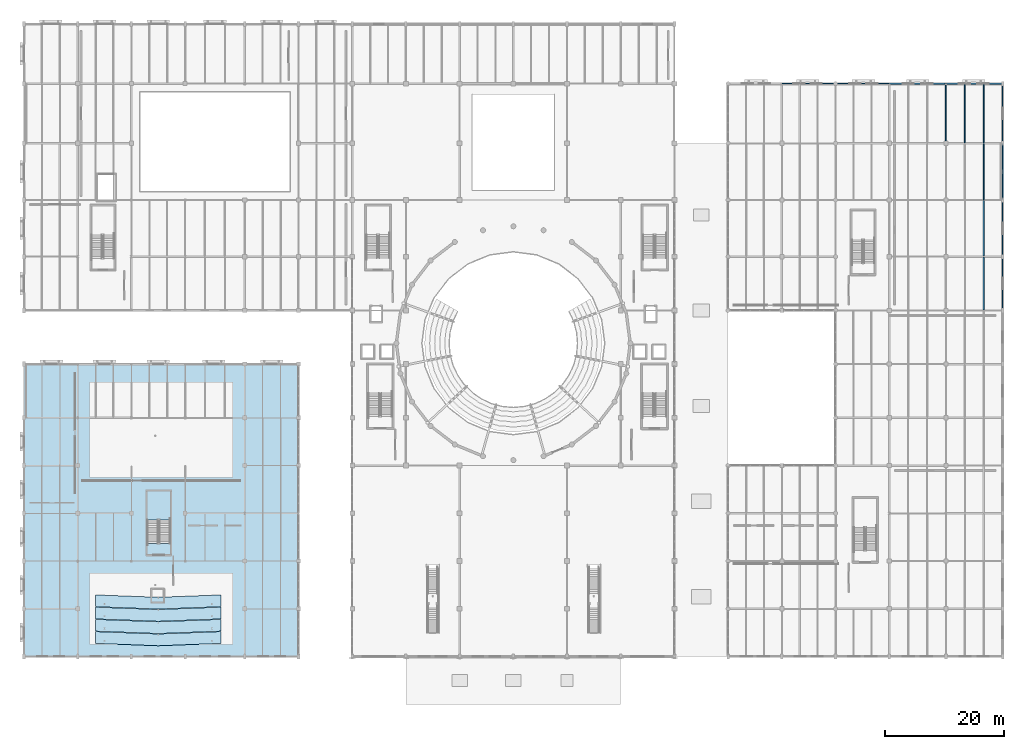
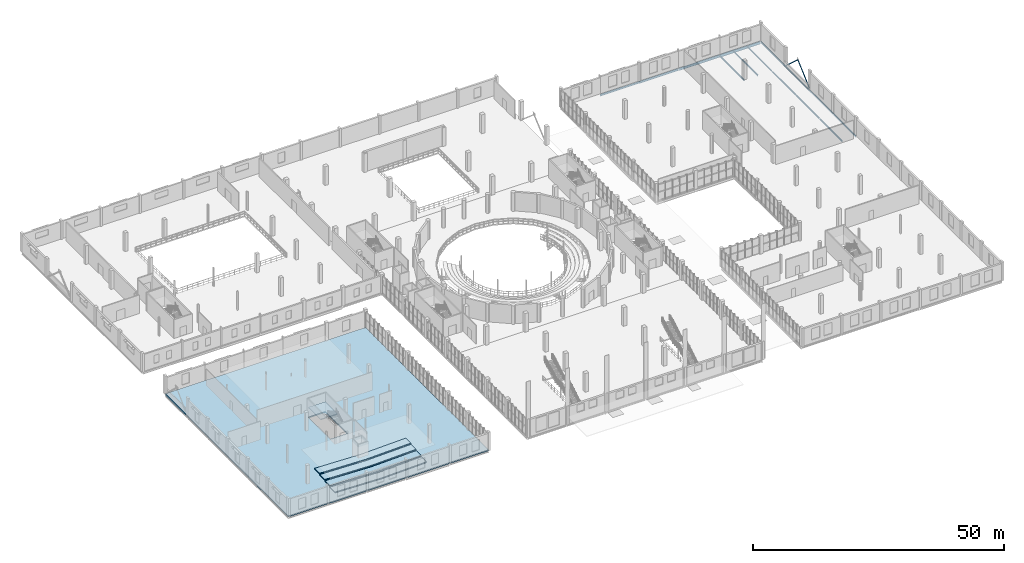
# One storey, part 55 of 93: 14 beams, 6 slabs, 2 members, 1 element without a shape of its own.
"""IFC4 building model written with IfcOpenShell, lengths in metres."""

from ifc_helpers import new_model, si_unit, direction, frame, origin, origin_2d, place, context, subcontext, project, spatial, polyline, hollow_circle, i_section, outline, extrude, material, layer, layer_set, material_profile, profile_set, type_object, element, aggregate, save


model = new_model("IFC4")

# Units and contexts
model_context = context("Model", 3, precision=1e-05, world=origin(), true_north=direction((0.0, 1.0)))
body_context = subcontext(model_context, "Body", "Model", "MODEL_VIEW")
ifc_project = project(units=[si_unit("LENGTHUNIT", "METRE"), si_unit("AREAUNIT", "SQUARE_METRE"), si_unit("VOLUMEUNIT", "CUBIC_METRE"), si_unit("PLANEANGLEUNIT", "RADIAN"), si_unit("MASSUNIT", "GRAM", prefix="KILO")], contexts=[model_context])

# Site, building, storey
site_placement = place(None, origin())
site = spatial("IfcSite", under=ifc_project, at=site_placement, CompositionType="ELEMENT")
building_placement = place(site_placement, origin())
building = spatial("IfcBuilding", under=site, at=building_placement, Name="Marnock Terrace Opera House", CompositionType="ELEMENT")
storey_placement = place(building_placement, frame((0.0, 0.0, 5.39990234375)))
storey = spatial("IfcBuildingStorey", under=building, at=storey_placement, Name="L01", CompositionType="ELEMENT", Elevation=5.39990234375)

# Beams
ifc_material_1 = material(Name="Steel Grade 350 (AS/NZS 3679.1)", Category="steel")
ifc_material_profile_1 = material_profile(ifc_material_1, i_section(OverallWidth=0.1708984375, OverallDepth=0.355712890625, WebThickness=0.00732421875, FlangeThickness=0.011474609375, FilletRadius=0.011474609375, at=origin_2d()))
ifc_profile_set_1 = profile_set([ifc_material_profile_1], Name="Steel Grade 350 (AS/NZS 3679.1)")
beam_type_1 = type_object("IfcBeamType", Name="BM-GIRD-360", PredefinedType="BEAM", material=ifc_profile_set_1)
beam_1_placement = place(storey_placement, frame((154.5, 94.050048828125, -0.457763671875), z_axis=(0.0, 1.0, 0.0), x_axis=(-1.0, 0.0, 0.0)))
element("IfcBeam", 1, at=beam_1_placement, inside=storey, type_object=beam_type_1, Name="L01 girder (X=154.5, 94.0..104.0)", PredefinedType="BEAM", context=body_context, shape_type="SweptSolid", body=[
    extrude(i_section(OverallWidth=0.1708984375, OverallDepth=0.355712890625, WebThickness=0.00732421875, FlangeThickness=0.011474609375, FilletRadius=0.011474609375, at=origin_2d()), origin(), (0.0, 0.0, 1.0), 9.89990234375),
])
ifc_material_profile_2 = material_profile(ifc_material_1, i_section(OverallWidth=0.177978515625, OverallDepth=0.402587890625, WebThickness=0.007568359375, FlangeThickness=0.010986328125, FilletRadius=0.011474609375, at=origin_2d()))
ifc_profile_set_2 = profile_set([ifc_material_profile_2], Name="Steel Grade 350 (AS/NZS 3679.1)")
beam_type_2 = type_object("IfcBeamType", Name="BM-GIRD-410", PredefinedType="BEAM", material=ifc_profile_set_2)
beam_2_placement = place(storey_placement, frame((127.050048828125, 104.0, -0.481201171875), z_axis=(1.0, 0.0, 0.0), x_axis=(0.0, 1.0, 0.0)))
element("IfcBeam", 2, at=beam_2_placement, inside=storey, type_object=beam_type_2, Name="L01 girder (127.0..136.0, Y=104.0)", PredefinedType="BEAM", context=body_context, shape_type="SweptSolid", body=[
    extrude(i_section(OverallWidth=0.177978515625, OverallDepth=0.402587890625, WebThickness=0.007568359375, FlangeThickness=0.010986328125, FilletRadius=0.011474609375, at=origin_2d()), origin(), (0.0, 0.0, 1.0), 8.89990234375),
])
ifc_material_profile_3 = material_profile(ifc_material_1, i_section(OverallWidth=0.19091796875, OverallDepth=0.46044921875, WebThickness=0.010009765625, FlangeThickness=0.01611328125, FilletRadius=0.011474609375, at=origin_2d()))
ifc_profile_set_3 = profile_set([ifc_material_profile_3], Name="Steel Grade 350 (AS/NZS 3679.1)")
beam_type_3 = type_object("IfcBeamType", Name="BM-GIRD-460A", PredefinedType="BEAM", material=ifc_profile_set_3)
beam_3_placement = place(storey_placement, frame((136.050048828125, 104.0, -0.510009765625), z_axis=(1.0, 0.0, 0.0), x_axis=(0.0, 1.0, 0.0)))
element("IfcBeam", 3, at=beam_3_placement, inside=storey, type_object=beam_type_3, Name="L01 girder (136.0..145.0, Y=104.0)", PredefinedType="BEAM", context=body_context, shape_type="SweptSolid", body=[
    extrude(i_section(OverallWidth=0.19091796875, OverallDepth=0.46044921875, WebThickness=0.010009765625, FlangeThickness=0.01611328125, FilletRadius=0.011474609375, at=origin_2d()), origin(), (0.0, 0.0, 1.0), 8.89990234375),
])
ifc_material_profile_4 = material_profile(ifc_material_1, i_section(OverallWidth=0.208984375, OverallDepth=0.532958984375, WebThickness=0.01025390625, FlangeThickness=0.015625, FilletRadius=0.013916015625, at=origin_2d()))
ifc_profile_set_4 = profile_set([ifc_material_profile_4], Name="Steel Grade 350 (AS/NZS 3679.1)")
beam_type_4 = type_object("IfcBeamType", Name="BM-GIRD-530A", PredefinedType="BEAM", material=ifc_profile_set_4)
beam_4_placement = place(storey_placement, frame((145.050048828125, 104.0, -0.54638671875), z_axis=(1.0, 0.0, 0.0), x_axis=(0.0, 1.0, 0.0)))
element("IfcBeam", 4, at=beam_4_placement, inside=storey, type_object=beam_type_4, Name="L01 girder (145.0..154.5, Y=104.0)", PredefinedType="BEAM", context=body_context, shape_type="SweptSolid", body=[
    extrude(i_section(OverallWidth=0.208984375, OverallDepth=0.532958984375, WebThickness=0.01025390625, FlangeThickness=0.015625, FilletRadius=0.013916015625, at=origin_2d()), origin(), (0.0, 0.0, 1.0), 9.39990234375),
])
ifc_material_profile_5 = material_profile(ifc_material_1, i_section(OverallWidth=0.22802734375, OverallDepth=0.60693359375, WebThickness=0.01123046875, FlangeThickness=0.017333984375, FilletRadius=0.013916015625, at=origin_2d()))
ifc_profile_set_5 = profile_set([ifc_material_profile_5], Name="Steel Grade 350 (AS/NZS 3679.1)")
beam_type_5 = type_object("IfcBeamType", Name="BM-GIRD-610B", PredefinedType="BEAM", material=ifc_profile_set_5)
beam_5_placement = place(storey_placement, frame((154.550048828125, 104.0, -0.58349609375), z_axis=(1.0, 0.0, 0.0), x_axis=(0.0, 1.0, 0.0)))
element("IfcBeam", 5, at=beam_5_placement, inside=storey, type_object=beam_type_5, Name="L01 girder (154.5..164.0, Y=104.0)", PredefinedType="BEAM", context=body_context, shape_type="SweptSolid", body=[
    extrude(i_section(OverallWidth=0.22802734375, OverallDepth=0.60693359375, WebThickness=0.01123046875, FlangeThickness=0.017333984375, FilletRadius=0.013916015625, at=origin_2d()), origin(), (0.0, 0.0, 1.0), 9.39990234375),
])
ifc_material_profile_6 = material_profile(ifc_material_1, i_section(OverallWidth=0.166015625, OverallDepth=0.30712890625, WebThickness=0.006591796875, FlangeThickness=0.01171875, FilletRadius=0.011474609375, at=origin_2d()))
ifc_profile_set_6 = profile_set([ifc_material_profile_6], Name="Steel Grade 350 (AS/NZS 3679.1)")
beam_type_6 = type_object("IfcBeamType", Name="BM-JOIST-310A", PredefinedType="JOIST", material=ifc_profile_set_6)
beam_6_placement = place(storey_placement, frame((160.833251953125, 84.583984375, -0.43359375), z_axis=(0.0, 1.0, 0.0), x_axis=(-1.0, 0.0, 0.0)))
element("IfcBeam", 6, at=beam_6_placement, inside=storey, type_object=beam_type_6, Name="L01 secondary joist 17.10.2", PredefinedType="JOIST", context=body_context, shape_type="SweptSolid", body=[
    extrude(i_section(OverallWidth=0.166015625, OverallDepth=0.30712890625, WebThickness=0.006591796875, FlangeThickness=0.01171875, FilletRadius=0.011474609375, at=origin_2d()), origin(), (0.0, 0.0, 1.0), 9.306396484375),
])
ifc_material_profile_7 = material_profile(ifc_material_1, i_section(OverallWidth=0.1650390625, OverallDepth=0.3037109375, WebThickness=0.006103515625, FlangeThickness=0.01025390625, FilletRadius=0.011474609375, at=origin_2d()))
ifc_profile_set_7 = profile_set([ifc_material_profile_7], Name="Steel Grade 350 (AS/NZS 3679.1)")
beam_type_7 = type_object("IfcBeamType", Name="BM-JOIST-310B", PredefinedType="JOIST", material=ifc_profile_set_7)
for number, where, z_axis, x_axis, name in (
    (7, (157.666748046875, 94.109619140625, -0.431884765625), (0.0, 1.0, 0.0), (-1.0, 0.0, 0.0), "L01 secondary joist 17.11.1"),
    (8, (160.833251953125, 94.109619140625, -0.431884765625), (0.0, 1.0, 0.0), (-1.0, 0.0, 0.0), "L01 secondary joist 17.11.2"),
):
    element("IfcBeam", number, at=place(storey_placement, frame(where, z_axis=z_axis, x_axis=x_axis)), inside=storey, type_object=beam_type_7, Name=name, PredefinedType="JOIST", context=body_context, shape_type="SweptSolid", body=[
        extrude(i_section(OverallWidth=0.1650390625, OverallDepth=0.3037109375, WebThickness=0.006103515625, FlangeThickness=0.01025390625, FilletRadius=0.011474609375, at=origin_2d()), origin(), (0.0, 0.0, 1.0), 9.781494140625),
    ])
ifc_material_profile_8 = material_profile(ifc_material_1, i_section(OverallWidth=0.172119140625, OverallDepth=0.358642578125, WebThickness=0.008056640625, FlangeThickness=0.012939453125, FilletRadius=0.011474609375, at=origin_2d()))
ifc_profile_set_8 = profile_set([ifc_material_profile_8], Name="Steel Grade 350 (AS/NZS 3679.1)")
beam_type_8 = type_object("IfcBeamType", Name="BM-JOIST-360", PredefinedType="JOIST", material=ifc_profile_set_8)
beam_7_placement = place(storey_placement, frame((160.833251953125, 75.090576171875, -0.459228515625), z_axis=(0.0, 1.0, 0.0), x_axis=(-1.0, 0.0, 0.0)))
element("IfcBeam", 9, at=beam_7_placement, inside=storey, type_object=beam_type_8, Name="L01 secondary joist 17.9.2", PredefinedType="JOIST", context=body_context, shape_type="SweptSolid", body=[
    extrude(i_section(OverallWidth=0.172119140625, OverallDepth=0.358642578125, WebThickness=0.008056640625, FlangeThickness=0.012939453125, FilletRadius=0.011474609375, at=origin_2d()), origin(), (0.0, 0.0, 1.0), 9.325439453125),
])
ifc_material_profile_9 = material_profile(ifc_material_1, i_section(OverallWidth=0.177978515625, OverallDepth=0.406494140625, WebThickness=0.0078125, FlangeThickness=0.0126953125, FilletRadius=0.011474609375, at=origin_2d()))
ifc_profile_set_9 = profile_set([ifc_material_profile_9], Name="Steel Grade 350 (AS/NZS 3679.1)")
beam_type_9 = type_object("IfcBeamType", Name="BM-JOIST-410", PredefinedType="JOIST", material=ifc_profile_set_9)
beam_8_placement = place(storey_placement, frame((160.833251953125, 66.099609375, -0.483154296875), z_axis=(0.0, 1.0, 0.0), x_axis=(-1.0, 0.0, 0.0)))
element("IfcBeam", 10, at=beam_8_placement, inside=storey, type_object=beam_type_9, Name="L01 secondary joist 17.8.2", PredefinedType="JOIST", context=body_context, shape_type="SweptSolid", body=[
    extrude(i_section(OverallWidth=0.177978515625, OverallDepth=0.406494140625, WebThickness=0.0078125, FlangeThickness=0.0126953125, FilletRadius=0.011474609375, at=origin_2d()), origin(), (0.0, 0.0, 1.0), 8.809814453125),
])
ifc_material_profile_10 = material_profile(ifc_material_1, i_section(OverallWidth=0.172119140625, OverallDepth=0.358642578125, WebThickness=0.008056640625, FlangeThickness=0.012939453125, FilletRadius=0.011474609375, at=origin_2d()))
ifc_profile_set_10 = profile_set([ifc_material_profile_10], Name="Steel Grade 350 (AS/NZS 3679.1)")
beam_type_10 = type_object("IfcBeamType", Name="BM-SPAN-360", PredefinedType="SPANDREL", material=ifc_profile_set_10)
beam_9_placement = place(storey_placement, frame((164.0, 66.050048828125, -0.459228515625), z_axis=(0.0, 1.0, 0.0), x_axis=(-1.0, 0.0, 0.0)))
element("IfcBeam", 11, at=beam_9_placement, inside=storey, type_object=beam_type_10, Name="L01 girder (X=164.0, 66.0..75.0)", PredefinedType="SPANDREL", context=body_context, shape_type="SweptSolid", body=[
    extrude(i_section(OverallWidth=0.172119140625, OverallDepth=0.358642578125, WebThickness=0.008056640625, FlangeThickness=0.012939453125, FilletRadius=0.011474609375, at=origin_2d()), origin(), (0.0, 0.0, 1.0), 8.89990234375),
])
for number, where, z_axis, x_axis, name in (
    (12, (164.0, 75.050048828125, -0.459228515625), (0.0, 1.0, 0.0), (-1.0, 0.0, 0.0), "L01 girder (X=164.0, 75.0..84.5)"),
    (13, (164.0, 84.550048828125, -0.459228515625), (0.0, 1.0, 0.0), (-1.0, 0.0, 0.0), "L01 girder (X=164.0, 84.5..94.0)"),
):
    element("IfcBeam", number, at=place(storey_placement, frame(where, z_axis=z_axis, x_axis=x_axis)), inside=storey, type_object=beam_type_10, Name=name, PredefinedType="SPANDREL", context=body_context, shape_type="SweptSolid", body=[
        extrude(i_section(OverallWidth=0.172119140625, OverallDepth=0.358642578125, WebThickness=0.008056640625, FlangeThickness=0.012939453125, FilletRadius=0.011474609375, at=origin_2d()), origin(), (0.0, 0.0, 1.0), 9.39990234375),
    ])
beam_10_placement = place(storey_placement, frame((164.0, 94.050048828125, -0.459228515625), z_axis=(0.0, 1.0, 0.0), x_axis=(-1.0, 0.0, 0.0)))
element("IfcBeam", 14, at=beam_10_placement, inside=storey, type_object=beam_type_10, Name="L01 girder (X=164.0, 94.0..104.0)", PredefinedType="SPANDREL", context=body_context, shape_type="SweptSolid", body=[
    extrude(i_section(OverallWidth=0.172119140625, OverallDepth=0.358642578125, WebThickness=0.008056640625, FlangeThickness=0.012939453125, FilletRadius=0.011474609375, at=origin_2d()), origin(), (0.0, 0.0, 1.0), 9.89990234375),
])

# Members
ifc_material_2 = material(Name="Cold-formed Steel Grade C350L0 (AS/NZS 1163)", Category="steel")
ifc_material_profile_11 = material_profile(ifc_material_2, hollow_circle(Radius=0.109619140625, WallThickness=0.00830078125, at=origin_2d()))
ifc_profile_set_11 = profile_set([ifc_material_profile_11], Name="Cold-formed Steel Grade C350L0 (AS/NZS 1163)")
member_type = type_object("IfcMemberType", Name="MEM-BRACE-CHS1", PredefinedType="BRACE", material=ifc_profile_set_11)
for number, where, z_axis, x_axis, name in (
    (15, (164.0, 84.64990234375, 0.0), (0.0, 0.740078686407, 0.672520288115), (-1.0, 0.0, 0.0), "L01 chevron brace A"),
    (16, (164.0, 93.85009765625, 0.0), (0.0, -0.740078686407, 0.672520288115), (1.0, 0.0, 0.0), "L01 chevron brace B"),
):
    element("IfcMember", number, at=place(storey_placement, frame(where, z_axis=z_axis, x_axis=x_axis)), inside=storey, type_object=member_type, Name=name, PredefinedType="BRACE", context=body_context, shape_type="SweptSolid", body=[
        extrude(hollow_circle(Radius=0.109619140625, WallThickness=0.00830078125, at=origin_2d()), origin(), (0.0, 0.0, 1.0), 6.215576171875),
    ])

# Slab
ifc_material_3 = material(Name="Concrete N40 (f'c = 40 MPa)", Category="concrete")
ifc_layer_1 = layer(ifc_material_3, 0.280029296875)
ifc_layer_set_1 = layer_set([ifc_layer_1], Name="Concrete N40 (f'c = 40 MPa)")
slab_type_1 = type_object("IfcSlabType", Name="SL-FLR-280", PredefinedType="FLOOR", material=ifc_layer_set_1)
slab_1_placement = place(storey_placement, frame((0.0, 0.0, -0.27978515625)))
element("IfcSlab", 17, at=slab_1_placement, inside=storey, type_object=slab_type_1, Name="L01 Chamber and Rehearsal Wing floor slab", PredefinedType="FLOOR", context=body_context, shape_type="SweptSolid", body=[
    extrude(outline(polyline([(0.0, 8.0), (46.0, 8.0), (46.0, 57.0), (0.0, 57.0), (0.0, 8.0)]), holes=[polyline([(24.52001953125, 26.9599609375), (24.52001953125, 35.719970703125), (20.639892578125, 35.719970703125), (20.639892578125, 26.9599609375), (24.52001953125, 26.9599609375)]), polyline([(21.3798828125, 17.080078125), (23.419921875, 17.080078125), (23.419921875, 19.320068359375), (21.3798828125, 19.320068359375), (21.3798828125, 17.080078125)])]), origin(), (0.0, 0.0, 1.0), 0.27978515625),
])

# Stair, slab
stair_type = type_object("IfcStairType", Name="ST-TYPE-2200", PredefinedType="HALF_TURN_STAIR", material=ifc_material_3)
stair_placement = place(storey_placement, origin())
stair = element("IfcStair", 18, at=stair_placement, inside=storey, type_object=stair_type, Name="L01 ST-05", PredefinedType="HALF_TURN_STAIR")
ifc_material_4 = material(Name="Concrete N32 (f'c = 32 MPa)", Category="concrete")
ifc_layer_2 = layer(ifc_material_4, 0.199951171875)
ifc_layer_set_2 = layer_set([ifc_layer_2], Name="Concrete N32 (f'c = 32 MPa)")
slab_type_2 = type_object("IfcSlabType", Name="SL-LAND-200", PredefinedType="LANDING", material=ifc_layer_set_2)
slab_2_placement = place(storey_placement, frame((0.0, 0.0, 2.2001953125)))
slab_2 = element("IfcSlab", 19, at=slab_2_placement, type_object=slab_type_2, Name="ST-05 landing 1", PredefinedType="LANDING", context=body_context, shape_type="SweptSolid", body=[
    extrude(outline(polyline([(24.52001953125, 30.860107421875), (24.52001953125, 35.719970703125), (20.639892578125, 35.719970703125), (20.639892578125, 30.860107421875), (24.52001953125, 30.860107421875)])), origin(), (0.0, 0.0, 1.0), 0.199951171875),
])
aggregate(stair, [slab_2])

# Slabs
ifc_layer_3 = layer(ifc_material_3, 0.219970703125)
ifc_layer_set_3 = layer_set([ifc_layer_3], Name="Concrete N40 (f'c = 40 MPa)")
slab_type_3 = type_object("IfcSlabType", Name="SL-TIER-220", PredefinedType="USERDEFINED", material=ifc_layer_set_3)
slab_3_placement = place(storey_placement, frame((0.0, 0.0, 0.06005859375)))
element("IfcSlab", 20, at=slab_3_placement, inside=storey, type_object=slab_type_3, Name="L01 Chamber Opera seating tier 1", ObjectType="SEATING TIER", PredefinedType="USERDEFINED", context=body_context, shape_type="SweptSolid", body=[
    extrude(outline(polyline([(12.0, 10.199951171875), (22.5, 9.800048828125), (33.0, 10.199951171875), (33.0, 12.179931640625), (22.5, 11.780029296875), (12.0, 12.179931640625), (12.0, 10.199951171875)])), origin(), (0.0, 0.0, 1.0), 0.219970703125),
])
slab_4_placement = place(storey_placement, frame((0.0, 0.0, 0.340087890625)))
element("IfcSlab", 21, at=slab_4_placement, inside=storey, type_object=slab_type_3, Name="L01 Chamber Opera seating tier 2", ObjectType="SEATING TIER", PredefinedType="USERDEFINED", context=body_context, shape_type="SweptSolid", body=[
    extrude(outline(polyline([(12.0, 12.25), (22.5, 11.85009765625), (33.0, 12.25), (33.0, 14.22998046875), (22.5, 13.830078125), (12.0, 14.22998046875), (12.0, 12.25)])), origin(), (0.0, 0.0, 1.0), 0.219970703125),
])
slab_5_placement = place(storey_placement, frame((0.0, 0.0, 0.6201171875)))
element("IfcSlab", 22, at=slab_5_placement, inside=storey, type_object=slab_type_3, Name="L01 Chamber Opera seating tier 3", ObjectType="SEATING TIER", PredefinedType="USERDEFINED", context=body_context, shape_type="SweptSolid", body=[
    extrude(outline(polyline([(12.0, 14.300048828125), (22.5, 13.89990234375), (33.0, 14.300048828125), (33.0, 16.280029296875), (22.5, 15.8798828125), (12.0, 16.280029296875), (12.0, 14.300048828125)])), origin(), (0.0, 0.0, 1.0), 0.219970703125),
])
slab_6_placement = place(storey_placement, frame((0.0, 0.0, 0.900146484375)))
element("IfcSlab", 23, at=slab_6_placement, inside=storey, type_object=slab_type_3, Name="L01 Chamber Opera seating tier 4", ObjectType="SEATING TIER", PredefinedType="USERDEFINED", context=body_context, shape_type="SweptSolid", body=[
    extrude(outline(polyline([(12.0, 16.35009765625), (22.5, 15.949951171875), (33.0, 16.35009765625), (33.0, 18.330078125), (22.5, 17.929931640625), (12.0, 18.330078125), (12.0, 16.35009765625)])), origin(), (0.0, 0.0, 1.0), 0.219970703125),
])

save(model, "model.ifc")
